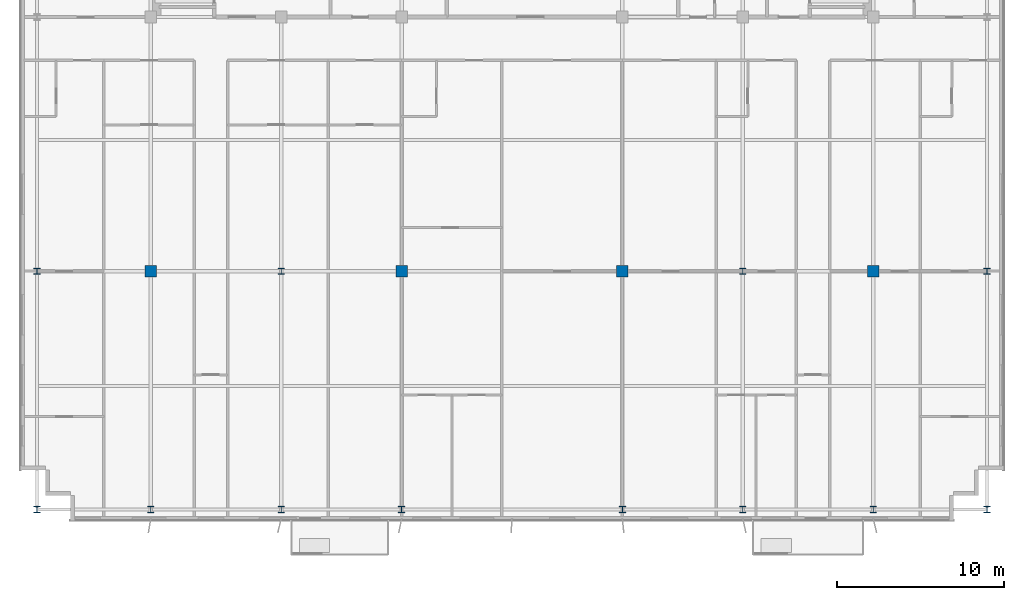
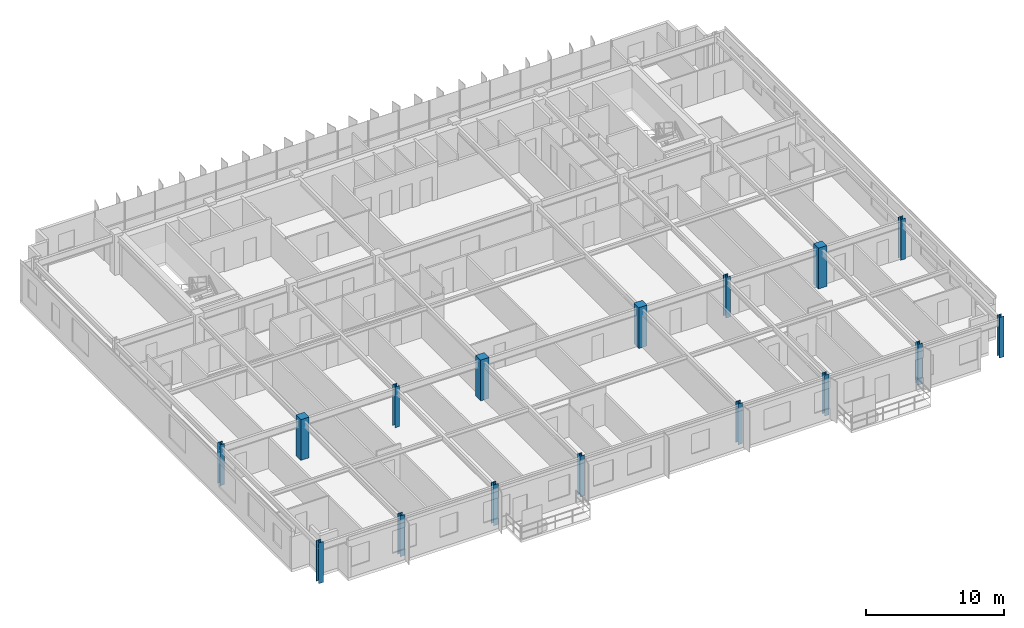
# One storey, part 1 of 21: 16 columns.
"""IFC4 building model written with IfcOpenShell, lengths in metres."""

from ifc_helpers import new_model, si_unit, direction, frame, origin, origin_2d, place, context, subcontext, project, spatial, rectangle, i_section, extrude, source, transform, mapped, material, material_profile, profile_set, type_object, element, save


model = new_model("IFC4")

# Units and contexts
model_context = context("Model", 3, precision=1e-05, world=origin(), true_north=direction((0.0, 1.0)))
body_context = subcontext(model_context, "Body", "Model", "MODEL_VIEW")
ifc_project = project(units=[si_unit("LENGTHUNIT", "METRE"), si_unit("AREAUNIT", "SQUARE_METRE"), si_unit("VOLUMEUNIT", "CUBIC_METRE"), si_unit("PLANEANGLEUNIT", "RADIAN"), si_unit("MASSUNIT", "GRAM", prefix="KILO")], contexts=[model_context])

# Site, building, storey
site_placement = place(None, origin())
site = spatial("IfcSite", under=ifc_project, at=site_placement, CompositionType="ELEMENT")
building_placement = place(site_placement, origin())
building = spatial("IfcBuilding", under=site, at=building_placement, Name="Trelvane Seafront Commons", CompositionType="ELEMENT")
storey_placement = place(building_placement, frame((0.0, 0.0, 157.300048828125)))
storey = spatial("IfcBuildingStorey", under=building, at=storey_placement, Name="L41", CompositionType="ELEMENT", Elevation=157.300048828125)

# Columns
ifc_material_1 = material(Name="Steel SM355 (S355)", Category="steel")
ifc_material_profile_1 = material_profile(ifc_material_1, i_section(OverallWidth=0.3798828125, OverallDepth=0.3798828125, WebThickness=0.02001953125, FlangeThickness=0.030029296875, at=origin_2d()), Name="HD-380x380x20x30")
ifc_profile_set_1 = profile_set([ifc_material_profile_1], Name="Steel SM355 (S355)")
column_type_1 = type_object("IfcColumnType", Name="STR-COL-HD380", PredefinedType="COLUMN", material=ifc_profile_set_1)
shared_shape_1 = source(origin(), body_context, "Body", "SweptSolid", [
    extrude(i_section(OverallWidth=0.3798828125, OverallDepth=0.3798828125, WebThickness=0.02001953125, FlangeThickness=0.030029296875, at=origin_2d()), origin(), (0.0, 0.0, 1.0), 3.599853515625),
])
for number, where, z_axis, x_axis, name in (
    (1, (8.800048828125, 3.949951171875, 0.0), (0.0, 0.0, 1.0), (1.0, 0.0, 0.0), "L41 Column TC-S8.8"),
    (2, (8.800048828125, 18.199951171875, 0.0), (0.0, 0.0, 1.0), (1.0, 0.0, 0.0), "L41 Column TC-M8.8"),
    (3, (15.60009765625, 3.949951171875, 0.0), (0.0, 0.0, 1.0), (1.0, 0.0, 0.0), "L41 Column TC-S15.6"),
    (4, (23.39990234375, 3.949951171875, 0.0), (0.0, 0.0, 1.0), (1.0, 0.0, 0.0), "L41 Column TC-S23.4"),
    (5, (23.39990234375, 18.199951171875, 0.0), (0.0, 0.0, 1.0), (1.0, 0.0, 0.0), "L41 Column TC-M23.4"),
    (6, (30.60009765625, 3.949951171875, 0.0), (0.0, 0.0, 1.0), (1.0, 0.0, 0.0), "L41 Column TC-S30.6"),
    (7, (43.800048828125, 3.949951171875, 0.0), (0.0, 0.0, 1.0), (1.0, 0.0, 0.0), "L41 Column TC-S43.8"),
    (8, (51.0, 3.949951171875, 0.0), (0.0, 0.0, 1.0), (1.0, 0.0, 0.0), "L41 Column TC-S51.0"),
    (9, (51.0, 18.199951171875, 0.0), (0.0, 0.0, 1.0), (1.0, 0.0, 0.0), "L41 Column TC-M51.0"),
    (10, (58.800048828125, 3.949951171875, 0.0), (0.0, 0.0, 1.0), (1.0, 0.0, 0.0), "L41 Column TC-S58.8"),
    (11, (65.60009765625, 3.949951171875, 0.0), (0.0, 0.0, 1.0), (1.0, 0.0, 0.0), "L41 Column TC-S65.6"),
    (12, (65.60009765625, 18.199951171875, 0.0), (0.0, 0.0, 1.0), (1.0, 0.0, 0.0), "L41 Column TC-M65.6"),
):
    element("IfcColumn", number, at=place(storey_placement, frame(where, z_axis=z_axis, x_axis=x_axis)), inside=storey, type_object=column_type_1, Name=name, PredefinedType="COLUMN", context=body_context, shape_type="MappedRepresentation", body=[
        mapped(shared_shape_1, transform((0.0, 0.0, 0.0), x_axis=(1.0, 0.0, 0.0), y_axis=(0.0, 1.0, 0.0), z_axis=(0.0, 0.0, 1.0), scale=1.0)),
    ])
ifc_material_2 = material(Name="Concrete C50/60", Category="concrete")
ifc_material_profile_2 = material_profile(ifc_material_2, rectangle(XDim=0.699951171875, YDim=0.699951171875, at=origin_2d()), Name="RC-700x700")
ifc_profile_set_2 = profile_set([ifc_material_profile_2], Name="Concrete C50/60")
column_type_2 = type_object("IfcColumnType", Name="STR-COL-RC700", PredefinedType="COLUMN", material=ifc_profile_set_2)
shared_shape_2 = source(origin(), body_context, "Body", "SweptSolid", [
    extrude(rectangle(XDim=0.699951171875, YDim=0.699951171875, at=origin_2d()), origin(), (0.0, 0.0, 1.0), 3.599853515625),
])
for number, where, z_axis, x_axis, name in (
    (13, (15.60009765625, 18.199951171875, 0.0), (0.0, 0.0, 1.0), (1.0, 0.0, 0.0), "L41 Column TC-M15.6"),
    (14, (30.60009765625, 18.199951171875, 0.0), (0.0, 0.0, 1.0), (1.0, 0.0, 0.0), "L41 Column TC-M30.6"),
    (15, (43.800048828125, 18.199951171875, 0.0), (0.0, 0.0, 1.0), (1.0, 0.0, 0.0), "L41 Column TC-M43.8"),
    (16, (58.800048828125, 18.199951171875, 0.0), (0.0, 0.0, 1.0), (1.0, 0.0, 0.0), "L41 Column TC-M58.8"),
):
    element("IfcColumn", number, at=place(storey_placement, frame(where, z_axis=z_axis, x_axis=x_axis)), inside=storey, type_object=column_type_2, Name=name, PredefinedType="COLUMN", context=body_context, shape_type="MappedRepresentation", body=[
        mapped(shared_shape_2, transform((0.0, 0.0, 0.0), x_axis=(1.0, 0.0, 0.0), y_axis=(0.0, 1.0, 0.0), z_axis=(0.0, 0.0, 1.0), scale=1.0)),
    ])

save(model, "model.ifc")
